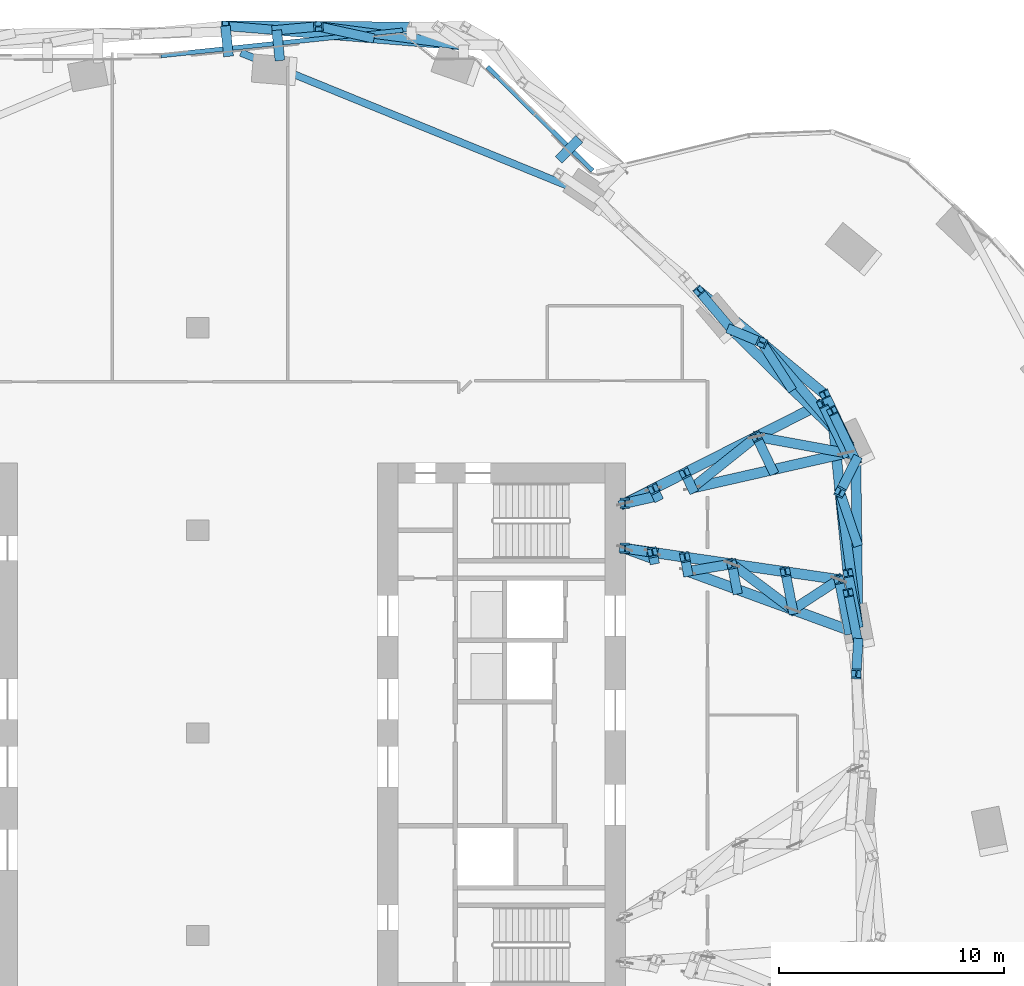
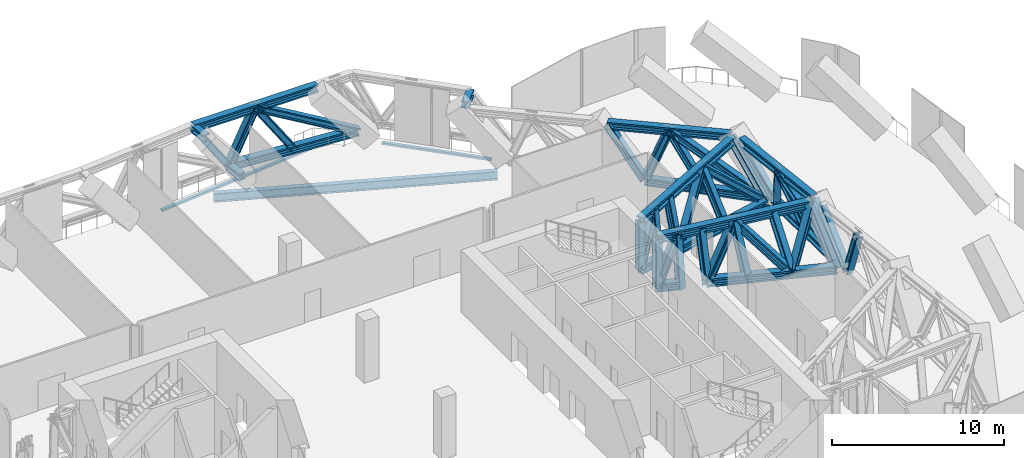
# One storey, part 11 of 27: 51 members, 1 beam, 2 elements without a shape of their own.
"""IFC4 building model written with IfcOpenShell, lengths in metres."""

from ifc_helpers import new_model, si_unit, direction, frame, origin, origin_2d, place, context, subcontext, project, spatial, rectangle, i_section, extrude, material, material_profile, profile_set, type_object, element, aggregate, save


model = new_model("IFC4")

# Units and contexts
model_context = context("Model", 3, precision=1e-05, world=origin(), true_north=direction((0.0, 1.0)))
body_context = subcontext(model_context, "Body", "Model", "MODEL_VIEW")
ifc_project = project(units=[si_unit("LENGTHUNIT", "METRE"), si_unit("AREAUNIT", "SQUARE_METRE"), si_unit("VOLUMEUNIT", "CUBIC_METRE"), si_unit("PLANEANGLEUNIT", "RADIAN"), si_unit("MASSUNIT", "GRAM", prefix="KILO")], contexts=[model_context])

# Site, building, storey
site_placement = place(None, origin())
site = spatial("IfcSite", under=ifc_project, at=site_placement, CompositionType="ELEMENT")
building_placement = place(site_placement, origin())
building = spatial("IfcBuilding", under=site, at=building_placement, Name="Orlundy Tower", CompositionType="ELEMENT")
storey_placement = place(building_placement, frame((0.0, 0.0, 206.10009765625)))
storey = spatial("IfcBuildingStorey", under=building, at=storey_placement, Name="L54", CompositionType="ELEMENT", Elevation=206.10009765625)

# Members
ifc_material_1 = material(Name="Steel ASTM A992 Gr 50", Category="steel")
ifc_material_profile_1 = material_profile(ifc_material_1, i_section(OverallWidth=0.4423828125, OverallDepth=0.531494140625, WebThickness=0.06591796875, FlangeThickness=0.105712890625, at=origin_2d()), Name="W14X605")
ifc_profile_set_1 = profile_set([ifc_material_profile_1], Name="Steel ASTM A992 Gr 50")
member_type_1 = type_object("IfcMemberType", Name="BELT TRUSS chord W14X605", PredefinedType="CHORD", material=ifc_profile_set_1)
member_1_placement = place(storey_placement, frame((29.33447265625, 4.853759765625, 0.28466796875), z_axis=(-0.012204080948, 0.999925527431, 0.0), x_axis=(-0.999925527431, -0.012204080948, 0.0)))
element("IfcMember", 1, at=member_1_placement, inside=storey, type_object=member_type_1, Name="Belt truss bottom chord BT-13", PredefinedType="CHORD", context=body_context, shape_type="SweptSolid", body=[
    extrude(i_section(OverallWidth=0.4423828125, OverallDepth=0.531494140625, WebThickness=0.06591796875, FlangeThickness=0.105712890625, at=origin_2d()), origin(), (0.0, 0.0, 1.0), 7.24169921875),
])
for number, where, z_axis, x_axis, name in (
    (2, (28.89697265625, 7.099365234375, 3.715087890625), (-0.098548970989, 0.995132202432, 0.0), (-0.995132202432, -0.098548970989, 0.0), "Belt truss top chord BT-13"),
    (3, (28.927734375, 12.837890625, 0.28466796875), (-0.715685346422, 0.698422855379, 0.0), (-0.698422855379, -0.715685346422, 0.0), "Belt truss bottom chord BT-14"),
    (4, (27.864990234375, 15.04833984375, 3.715087890625), (-0.773309447926, 0.63402878306, 0.0), (-0.63402878306, -0.773309447926, 0.0), "Belt truss top chord BT-14"),
):
    element("IfcMember", number, at=place(storey_placement, frame(where, z_axis=z_axis, x_axis=x_axis)), inside=storey, type_object=member_type_1, Name=name, PredefinedType="CHORD", context=body_context, shape_type="SweptSolid", body=[
        extrude(i_section(OverallWidth=0.4423828125, OverallDepth=0.531494140625, WebThickness=0.06591796875, FlangeThickness=0.105712890625, at=origin_2d()), origin(), (0.0, 0.0, 1.0), 7.2412109375),
    ])
member_2_placement = place(storey_placement, frame((11.808837890625, 30.556396484375, 0.28466796875), z_axis=(-0.996756825967, 0.080472541204, 0.0), x_axis=(-0.080472541204, -0.996756825967, 0.0)))
element("IfcMember", 5, at=member_2_placement, inside=storey, type_object=member_type_1, Name="Belt truss bottom chord BT-17A", PredefinedType="CHORD", context=body_context, shape_type="SweptSolid", body=[
    extrude(i_section(OverallWidth=0.4423828125, OverallDepth=0.531494140625, WebThickness=0.06591796875, FlangeThickness=0.105712890625, at=origin_2d()), origin(), (0.0, 0.0, 1.0), 8.324951171875),
])
member_3_placement = place(storey_placement, frame((9.494140625, 31.368896484375, 3.715087890625), z_axis=(-0.999985382482, 0.005406923474, 0.0), x_axis=(-0.005406923474, -0.999985382482, 0.0)))
element("IfcMember", 6, at=member_3_placement, inside=storey, type_object=member_type_1, Name="Belt truss top chord BT-17A", PredefinedType="CHORD", context=body_context, shape_type="SweptSolid", body=[
    extrude(i_section(OverallWidth=0.4423828125, OverallDepth=0.531494140625, WebThickness=0.06591796875, FlangeThickness=0.105712890625, at=origin_2d()), origin(), (0.0, 0.0, 1.0), 8.262939453125),
])
ifc_material_2 = material(Name="Steel ASTM A992 Gr 50", Category="steel")
ifc_material_profile_2 = material_profile(ifc_material_2, i_section(OverallWidth=0.42431640625, OverallDepth=0.47412109375, WebThickness=0.0478515625, FlangeThickness=0.0771484375, at=origin_2d()), Name="W14X426")
ifc_profile_set_2 = profile_set([ifc_material_profile_2], Name="Steel ASTM A992 Gr 50")
member_type_2 = type_object("IfcMemberType", Name="BELT TRUSS diagonal W14X426", PredefinedType="BRACE", material=ifc_profile_set_2)
member_4_placement = place(storey_placement, frame((29.263916015625, 2.621337890625, 3.715087890625), z_axis=(0.021964823922, 0.367910800702, -0.929601629322), x_axis=(-0.998222615791, 0.059595380047, 0.0)))
element("IfcMember", 7, at=member_4_placement, inside=storey, type_object=member_type_2, Name="Belt truss diagonal BT-12-1", PredefinedType="BRACE", context=body_context, shape_type="SweptSolid", body=[
    extrude(i_section(OverallWidth=0.42431640625, OverallDepth=0.47412109375, WebThickness=0.0478515625, FlangeThickness=0.0771484375, at=origin_2d()), origin(), (0.0, 0.0, 1.0), 3.690185546875),
])
member_5_placement = place(storey_placement, frame((29.33447265625, 4.853759765625, 0.28466796875), z_axis=(-0.116334291609, 0.856718195444, 0.502494045925), x_axis=(-0.99090602626, -0.134555739832, 0.0)))
element("IfcMember", 8, at=member_5_placement, inside=storey, type_object=member_type_2, Name="Belt truss diagonal BT-13-0", PredefinedType="BRACE", context=body_context, shape_type="SweptSolid", body=[
    extrude(i_section(OverallWidth=0.42431640625, OverallDepth=0.47412109375, WebThickness=0.0478515625, FlangeThickness=0.0771484375, at=origin_2d()), origin(), (0.0, 0.0, 1.0), 6.826904296875),
])
member_6_placement = place(storey_placement, frame((28.540283203125, 10.702392578125, 3.715087890625), z_axis=(0.187268233009, 0.369483915976, -0.910171546875), x_axis=(-0.891974402722, 0.452085904325, 0.0)))
element("IfcMember", 9, at=member_6_placement, inside=storey, type_object=member_type_2, Name="Belt truss diagonal BT-13-1", PredefinedType="BRACE", context=body_context, shape_type="SweptSolid", body=[
    extrude(i_section(OverallWidth=0.42431640625, OverallDepth=0.47412109375, WebThickness=0.0478515625, FlangeThickness=0.0771484375, at=origin_2d()), origin(), (0.0, 0.0, 1.0), 3.76904296875),
])
member_7_placement = place(storey_placement, frame((28.927734375, 12.837890625, 0.28466796875), z_axis=(-0.563471600135, 0.65731823855, 0.500432302225), x_axis=(-0.759224659772, -0.650828637964, 0.0)))
element("IfcMember", 10, at=member_7_placement, inside=storey, type_object=member_type_2, Name="Belt truss diagonal BT-14-0", PredefinedType="BRACE", context=body_context, shape_type="SweptSolid", body=[
    extrude(i_section(OverallWidth=0.42431640625, OverallDepth=0.47412109375, WebThickness=0.0478515625, FlangeThickness=0.0771484375, at=origin_2d()), origin(), (0.0, 0.0, 1.0), 6.85498046875),
])
member_8_placement = place(storey_placement, frame((25.065185546875, 17.34375, 3.715087890625), z_axis=(-0.355106145925, 0.148387862309, -0.922973817313), x_axis=(-0.385560473713, -0.922682567902, 0.0)))
element("IfcMember", 11, at=member_8_placement, inside=storey, type_object=member_type_2, Name="Belt truss diagonal BT-14-1", PredefinedType="BRACE", context=body_context, shape_type="SweptSolid", body=[
    extrude(i_section(OverallWidth=0.42431640625, OverallDepth=0.47412109375, WebThickness=0.0478515625, FlangeThickness=0.0771484375, at=origin_2d()), origin(), (0.0, 0.0, 1.0), 3.716796875),
])
member_9_placement = place(storey_placement, frame((11.808837890625, 30.556396484375, 0.28466796875), z_axis=(-0.877073117338, 0.113570405551, 0.466738159813), x_axis=(-0.128415849058, -0.991720409042, 0.0)))
element("IfcMember", 12, at=member_9_placement, inside=storey, type_object=member_type_2, Name="Belt truss diagonal BT-17A-0", PredefinedType="BRACE", context=body_context, shape_type="SweptSolid", body=[
    extrude(i_section(OverallWidth=0.42431640625, OverallDepth=0.47412109375, WebThickness=0.0478515625, FlangeThickness=0.0771484375, at=origin_2d()), origin(), (0.0, 0.0, 1.0), 7.349853515625),
])
member_10_placement = place(storey_placement, frame((5.362548828125, 31.39111328125, 3.715087890625), z_axis=(-0.474553397973, -0.042236754171, -0.879212789414), x_axis=(0.08865272312, -0.996062595766, 0.0)))
element("IfcMember", 13, at=member_10_placement, inside=storey, type_object=member_type_2, Name="Belt truss diagonal BT-17A-1", PredefinedType="BRACE", context=body_context, shape_type="SweptSolid", body=[
    extrude(i_section(OverallWidth=0.42431640625, OverallDepth=0.47412109375, WebThickness=0.0478515625, FlangeThickness=0.0771484375, at=origin_2d()), origin(), (0.0, 0.0, 1.0), 3.901611328125),
])
ifc_material_3 = material(Name="Steel ASTM A992 Gr 50", Category="steel")
ifc_material_profile_3 = material_profile(ifc_material_3, i_section(OverallWidth=0.412109375, OverallDepth=0.434814453125, WebThickness=0.035888671875, FlangeThickness=0.057373046875, at=origin_2d()), Name="W14X311")
ifc_profile_set_3 = profile_set([ifc_material_profile_3], Name="Steel ASTM A992 Gr 50")
member_type_3 = type_object("IfcMemberType", Name="BELT TRUSS post W14X311", PredefinedType="POST", material=ifc_profile_set_3)
for number, where, z_axis, x_axis, name in (
    (14, (29.344970703125, 3.97900390625, 0.28466796875), (-0.106048186168, 0.544570166493, 0.831983843579), (-0.981561471649, -0.191146743038, 0.0), "Belt truss post BT-12-2"),
    (15, (29.33447265625, 4.853759765625, 0.28466796875), (-0.106103310044, 0.544608396086, 0.831951790977), (-0.981545345416, -0.191229534571, 0.0), "Belt truss post BT-13-0"),
):
    element("IfcMember", number, at=place(storey_placement, frame(where, z_axis=z_axis, x_axis=x_axis)), inside=storey, type_object=member_type_3, Name=name, PredefinedType="POST", context=body_context, shape_type="SweptSolid", body=[
        extrude(i_section(OverallWidth=0.412109375, OverallDepth=0.434814453125, WebThickness=0.035888671875, FlangeThickness=0.057373046875, at=origin_2d()), origin(), (0.0, 0.0, 1.0), 4.123291015625),
    ])
member_11_placement = place(storey_placement, frame((29.290283203125, 8.474365234375, 0.28466796875), z_axis=(-0.180346899683, 0.535757098473, 0.824887463362), x_axis=(-0.947744494985, -0.319030362546, 0.0)))
element("IfcMember", 16, at=member_11_placement, inside=storey, type_object=member_type_3, Name="Belt truss post BT-13-1", PredefinedType="POST", context=body_context, shape_type="SweptSolid", body=[
    extrude(i_section(OverallWidth=0.412109375, OverallDepth=0.434814453125, WebThickness=0.035888671875, FlangeThickness=0.057373046875, at=origin_2d()), origin(), (0.0, 0.0, 1.0), 4.15869140625),
])
for number, where, z_axis, x_axis, name in (
    (17, (29.24609375, 12.094970703125, 0.28466796875), (-0.252012825213, 0.52417278187, 0.813469379064), (-0.901247939283, -0.433303764049, 0.0), "Belt truss post BT-13-2"),
    (18, (28.927734375, 12.837890625, 0.28466796875), (-0.252012825213, 0.52417278187, 0.813469379064), (-0.901247939283, -0.433303764049, 0.0), "Belt truss post BT-14-0"),
):
    element("IfcMember", number, at=place(storey_placement, frame(where, z_axis=z_axis, x_axis=x_axis)), inside=storey, type_object=member_type_3, Name=name, PredefinedType="POST", context=body_context, shape_type="SweptSolid", body=[
        extrude(i_section(OverallWidth=0.412109375, OverallDepth=0.434814453125, WebThickness=0.035888671875, FlangeThickness=0.057373046875, at=origin_2d()), origin(), (0.0, 0.0, 1.0), 4.217041015625),
    ])
member_12_placement = place(storey_placement, frame((26.33642578125, 15.36669921875, 0.28466796875), z_axis=(-0.305701770782, 0.47543171496, 0.824930973931), x_axis=(-0.841124474731, -0.540841583098, 0.0)))
element("IfcMember", 19, at=member_12_placement, inside=storey, type_object=member_type_3, Name="Belt truss post BT-14-1", PredefinedType="POST", context=body_context, shape_type="SweptSolid", body=[
    extrude(i_section(OverallWidth=0.412109375, OverallDepth=0.434814453125, WebThickness=0.035888671875, FlangeThickness=0.057373046875, at=origin_2d()), origin(), (0.0, 0.0, 1.0), 4.158447265625),
])
member_13_placement = place(storey_placement, frame((23.745361328125, 17.895263671875, 0.28466796875), z_axis=(-0.358946409218, 0.423014376023, 0.831995380389), x_axis=(-0.762486797181, -0.647003774428, 0.0)))
element("IfcMember", 20, at=member_13_placement, inside=storey, type_object=member_type_3, Name="Belt truss post BT-14-2", PredefinedType="POST", context=body_context, shape_type="SweptSolid", body=[
    extrude(i_section(OverallWidth=0.412109375, OverallDepth=0.434814453125, WebThickness=0.035888671875, FlangeThickness=0.057373046875, at=origin_2d()), origin(), (0.0, 0.0, 1.0), 4.123046875),
])
member_14_placement = place(storey_placement, frame((7.659912109375, 30.891357421875, 0.28466796875), z_axis=(-0.552413373873, 0.120168987919, 0.824862945409), x_axis=(-0.212563286564, -0.977147301693, 0.0)))
element("IfcMember", 21, at=member_14_placement, inside=storey, type_object=member_type_3, Name="Belt truss post BT-17A-1", PredefinedType="POST", context=body_context, shape_type="SweptSolid", body=[
    extrude(i_section(OverallWidth=0.412109375, OverallDepth=0.434814453125, WebThickness=0.035888671875, FlangeThickness=0.057373046875, at=origin_2d()), origin(), (0.0, 0.0, 1.0), 4.15869140625),
])
member_15_placement = place(storey_placement, frame((3.510986328125, 31.226318359375, 0.28466796875), z_axis=(-0.55292479273, 0.045415861643, 0.831992531875), x_axis=(-0.081861823633, -0.996643688502, 0.0)))
element("IfcMember", 22, at=member_15_placement, inside=storey, type_object=member_type_3, Name="Belt truss post BT-17A-2", PredefinedType="POST", context=body_context, shape_type="SweptSolid", body=[
    extrude(i_section(OverallWidth=0.412109375, OverallDepth=0.434814453125, WebThickness=0.035888671875, FlangeThickness=0.057373046875, at=origin_2d()), origin(), (0.0, 0.0, 1.0), 4.123046875),
])
ifc_material_4 = material(Name="Steel ASTM A992 Gr 50", Category="steel")
ifc_material_profile_4 = material_profile(ifc_material_4, i_section(OverallWidth=0.43212890625, OverallDepth=0.497802734375, WebThickness=0.0556640625, FlangeThickness=0.0888671875, at=origin_2d()), Name="W14X500")
ifc_profile_set_4 = profile_set([ifc_material_profile_4], Name="Steel ASTM A992 Gr 50")
member_type_4 = type_object("IfcMemberType", Name="BELT TRUSS strut W14X500", PredefinedType="STRUT", material=ifc_profile_set_4)
member_16_placement = place(storey_placement, frame((16.033203125, 25.458984375, 3.715087890625), z_axis=(0.702996885036, 0.711192927151, 0.0), x_axis=(-0.711192927151, 0.702996885036, 0.0)))
element("IfcMember", 23, at=member_16_placement, inside=storey, type_object=member_type_4, Name="Belt truss bracket C-H02", PredefinedType="STRUT", context=body_context, shape_type="SweptSolid", body=[
    extrude(i_section(OverallWidth=0.43212890625, OverallDepth=0.497802734375, WebThickness=0.0556640625, FlangeThickness=0.0888671875, at=origin_2d()), origin(), (0.0, 0.0, 1.0), 1.310546875),
])
for number, where, z_axis, x_axis, name in (
    (24, (3.653076171875, 29.87353515625, 0.28466796875), (-0.104460547945, 0.994529031212, 0.0), (-0.994529031212, -0.104460547945, 0.0), "Belt truss bracket C-H24"),
    (25, (1.373291015625, 30.060791015625, 3.715087890625), (-0.104460547945, 0.994529031212, 0.0), (-0.994529031212, -0.104460547945, 0.0), "Belt truss bracket C-H24"),
):
    element("IfcMember", number, at=place(storey_placement, frame(where, z_axis=z_axis, x_axis=x_axis)), inside=storey, type_object=member_type_4, Name=name, PredefinedType="STRUT", context=body_context, shape_type="SweptSolid", body=[
        extrude(i_section(OverallWidth=0.43212890625, OverallDepth=0.497802734375, WebThickness=0.0556640625, FlangeThickness=0.0888671875, at=origin_2d()), origin(), (0.0, 0.0, 1.0), 1.360107421875),
    ])

# Beam
ifc_material_5 = material(Name="Steel ASTM A992 Gr 50", Category="steel")
ifc_material_profile_5 = material_profile(ifc_material_5, i_section(OverallWidth=0.32373046875, OverallDepth=0.611083984375, WebThickness=0.0126953125, FlangeThickness=0.01904296875, at=origin_2d()), Name="W24X104")
ifc_profile_set_5 = profile_set([ifc_material_profile_5], Name="Steel ASTM A992 Gr 50")
beam_type = type_object("IfcBeamType", Name="CANTILEVER GIRDER beam W24X104", PredefinedType="BEAM", material=ifc_profile_set_5)
beam_placement = place(storey_placement, frame((1.919189453125, 30.22509765625, -0.755615234375), z_axis=(0.92609425761, -0.377292228943, 0.0), x_axis=(0.377292228943, 0.92609425761, 0.0)))
element("IfcBeam", 26, at=beam_placement, inside=storey, type_object=beam_type, Name="Cantilever girder C-H24 L54", PredefinedType="BEAM", context=body_context, shape_type="SweptSolid", body=[
    extrude(i_section(OverallWidth=0.32373046875, OverallDepth=0.611083984375, WebThickness=0.0126953125, FlangeThickness=0.01904296875, at=origin_2d()), origin(), (0.0, 0.0, 1.0), 16.647705078125),
])

# Curtain wall, member
ifc_material_6 = material(Name="Aluminium bronze anodised", Category="aluminium")
curtain_wall_type = type_object("IfcCurtainWallType", Name="CW4 wall", PredefinedType="NOTDEFINED", material=ifc_material_6)
curtain_wall_1_placement = place(storey_placement, origin())
curtain_wall_1 = element("IfcCurtainWall", 27, at=curtain_wall_1_placement, inside=storey, type_object=curtain_wall_type, Name="CW4 run 012", PredefinedType="NOTDEFINED")
ifc_material_7 = material(Name="Aluminium bronze anodised", Category="aluminium")
ifc_material_profile_6 = material_profile(ifc_material_7, rectangle(XDim=0.199951171875, YDim=0.14990234375, at=origin_2d()), Name="CW4 transom 200x150")
ifc_profile_set_6 = profile_set([ifc_material_profile_6], Name="Aluminium bronze anodised")
member_type_5 = type_object("IfcMemberType", Name="CW4 transom 200x150", PredefinedType="USERDEFINED", material=ifc_profile_set_6)
member_17_placement = place(storey_placement, frame((-1.638671875, 30.093994140625, -0.375), z_axis=(0.994520169586, 0.104544881685, 0.0), x_axis=(-0.104544881685, 0.994520169586, 0.0)))
member_17 = element("IfcMember", 28, at=member_17_placement, type_object=member_type_5, Name="CW4 transom", ObjectType="TRANSOM", PredefinedType="USERDEFINED", context=body_context, shape_type="SweptSolid", body=[
    extrude(rectangle(XDim=0.199951171875, YDim=0.14990234375, at=origin_2d()), origin(), (0.0, 0.0, 1.0), 10.81005859375),
])
aggregate(curtain_wall_1, [member_17])

curtain_wall_2_placement = place(storey_placement, origin())
curtain_wall_2 = element("IfcCurtainWall", 29, at=curtain_wall_2_placement, inside=storey, type_object=curtain_wall_type, Name="CW4 run 015", PredefinedType="NOTDEFINED")
member_18_placement = place(storey_placement, frame((12.870361328125, 29.601318359375, -0.375), z_axis=(0.711221318148, -0.702968161876, 0.0), x_axis=(0.702968161876, 0.711221318148, 0.0)))
member_18 = element("IfcMember", 30, at=member_18_placement, type_object=member_type_5, Name="CW4 transom", ObjectType="TRANSOM", PredefinedType="USERDEFINED", context=body_context, shape_type="SweptSolid", body=[
    extrude(rectangle(XDim=0.199951171875, YDim=0.14990234375, at=origin_2d()), origin(), (0.0, 0.0, 1.0), 6.567138671875),
])
aggregate(curtain_wall_2, [member_18])

# Members
ifc_material_8 = material(Name="Steel ASTM A992 Gr 50", Category="steel")
ifc_material_profile_7 = material_profile(ifc_material_8, i_section(OverallWidth=0.454345703125, OverallDepth=0.569580078125, WebThickness=0.077880859375, FlangeThickness=0.124755859375, at=origin_2d()), Name="W14X730")
ifc_profile_set_7 = profile_set([ifc_material_profile_7], Name="Steel ASTM A992 Gr 50")
member_type_6 = type_object("IfcMemberType", Name="OUTRIGGER TRUSS chord W14X730", PredefinedType="CHORD", material=ifc_profile_set_7)
member_19_placement = place(storey_placement, frame((18.97998046875, 8.199951171875, 0.28466796875), z_axis=(0.939345481907, -0.342972397754, 0.0), x_axis=(0.342972397754, 0.939345481907, 0.0)))
element("IfcMember", 31, at=member_19_placement, inside=storey, type_object=member_type_6, Name="Outrigger truss bottom chord OR-E-C-H05", PredefinedType="CHORD", context=body_context, shape_type="SweptSolid", body=[
    extrude(i_section(OverallWidth=0.454345703125, OverallDepth=0.569580078125, WebThickness=0.077880859375, FlangeThickness=0.124755859375, at=origin_2d()), origin(), (0.0, 0.0, 1.0), 1.37109375),
])
member_20_placement = place(storey_placement, frame((21.770751953125, 7.180908203125, 0.28466796875), z_axis=(0.939303247781, -0.34308804804, 0.0), x_axis=(0.34308804804, 0.939303247781, 0.0)))
element("IfcMember", 32, at=member_20_placement, inside=storey, type_object=member_type_6, Name="Outrigger truss bottom chord OR-E-C-H052", PredefinedType="CHORD", context=body_context, shape_type="SweptSolid", body=[
    extrude(i_section(OverallWidth=0.454345703125, OverallDepth=0.569580078125, WebThickness=0.077880859375, FlangeThickness=0.124755859375, at=origin_2d()), origin(), (0.0, 0.0, 1.0), 7.62060546875),
])
member_21_placement = place(storey_placement, frame((18.97998046875, 8.199951171875, 3.715087890625), z_axis=(0.989520358728, -0.144393419733, 0.0), x_axis=(0.144393419733, 0.989520358728, 0.0)))
element("IfcMember", 33, at=member_21_placement, inside=storey, type_object=member_type_6, Name="Outrigger truss top chord OR-E-C-H05", PredefinedType="CHORD", context=body_context, shape_type="SweptSolid", body=[
    extrude(i_section(OverallWidth=0.454345703125, OverallDepth=0.569580078125, WebThickness=0.077880859375, FlangeThickness=0.124755859375, at=origin_2d()), origin(), (0.0, 0.0, 1.0), 9.6123046875),
])
member_22_placement = place(storey_placement, frame((18.97998046875, 10.199951171875, 0.28466796875), z_axis=(0.975136131656, 0.221606689291, 0.0), x_axis=(-0.221606689291, 0.975136131656, 0.0)))
element("IfcMember", 34, at=member_22_placement, inside=storey, type_object=member_type_6, Name="Outrigger truss bottom chord OR-E-C-H04", PredefinedType="CHORD", context=body_context, shape_type="SweptSolid", body=[
    extrude(i_section(OverallWidth=0.454345703125, OverallDepth=0.569580078125, WebThickness=0.077880859375, FlangeThickness=0.124755859375, at=origin_2d()), origin(), (0.0, 0.0, 1.0), 1.464111328125),
])
member_23_placement = place(storey_placement, frame((21.9677734375, 10.879150390625, 0.28466796875), z_axis=(0.975120899244, 0.221673705833, 0.0), x_axis=(-0.221673705833, 0.975120899244, 0.0)))
element("IfcMember", 35, at=member_23_placement, inside=storey, type_object=member_type_6, Name="Outrigger truss bottom chord OR-E-C-H042", PredefinedType="CHORD", context=body_context, shape_type="SweptSolid", body=[
    extrude(i_section(OverallWidth=0.454345703125, OverallDepth=0.569580078125, WebThickness=0.077880859375, FlangeThickness=0.124755859375, at=origin_2d()), origin(), (0.0, 0.0, 1.0), 7.02099609375),
])
member_24_placement = place(storey_placement, frame((18.97998046875, 10.199951171875, 3.715087890625), z_axis=(0.891970906458, 0.452092802455, 0.0), x_axis=(-0.452092802455, 0.891970906458, 0.0)))
element("IfcMember", 36, at=member_24_placement, inside=storey, type_object=member_type_6, Name="Outrigger truss top chord OR-E-C-H04", PredefinedType="CHORD", context=body_context, shape_type="SweptSolid", body=[
    extrude(i_section(OverallWidth=0.454345703125, OverallDepth=0.569580078125, WebThickness=0.077880859375, FlangeThickness=0.124755859375, at=origin_2d()), origin(), (0.0, 0.0, 1.0), 9.833740234375),
])
ifc_material_9 = material(Name="Steel ASTM A992 Gr 50", Category="steel")
ifc_material_profile_8 = material_profile(ifc_material_9, i_section(OverallWidth=0.43212890625, OverallDepth=0.497802734375, WebThickness=0.0556640625, FlangeThickness=0.0888671875, at=origin_2d()), Name="W14X500")
ifc_profile_set_8 = profile_set([ifc_material_profile_8], Name="Steel ASTM A992 Gr 50")
member_type_7 = type_object("IfcMemberType", Name="OUTRIGGER TRUSS diagonal W14X500", PredefinedType="BRACE", material=ifc_profile_set_8)
member_25_placement = place(storey_placement, frame((18.97998046875, 8.199951171875, 0.28466796875), z_axis=(0.337398660327, -0.049241604997, 0.940073086705), x_axis=(0.144414965274, 0.989517214507, 0.0)))
element("IfcMember", 37, at=member_25_placement, inside=storey, type_object=member_type_7, Name="Outrigger truss diagonal OR-E-C-H05-0", PredefinedType="BRACE", context=body_context, shape_type="SweptSolid", body=[
    extrude(i_section(OverallWidth=0.43212890625, OverallDepth=0.497802734375, WebThickness=0.0556640625, FlangeThickness=0.0888671875, at=origin_2d()), origin(), (0.0, 0.0, 1.0), 3.649169921875),
])
member_26_placement = place(storey_placement, frame((21.770751953125, 7.180908203125, 0.28466796875), z_axis=(0.495345991542, 0.081921659386, 0.864824369677), x_axis=(-0.163166339659, 0.986598573687, 0.0)))
element("IfcMember", 38, at=member_26_placement, inside=storey, type_object=member_type_7, Name="Outrigger truss diagonal OR-E-C-H05-2", PredefinedType="BRACE", context=body_context, shape_type="SweptSolid", body=[
    extrude(i_section(OverallWidth=0.43212890625, OverallDepth=0.497802734375, WebThickness=0.0556640625, FlangeThickness=0.0888671875, at=origin_2d()), origin(), (0.0, 0.0, 1.0), 3.966552734375),
])
member_27_placement = place(storey_placement, frame((23.735595703125, 7.505859375, 3.715087890625), z_axis=(0.561626473002, -0.421523874856, -0.711964414665), x_axis=(0.60027704826, 0.799792138829, 0.0)))
element("IfcMember", 39, at=member_27_placement, inside=storey, type_object=member_type_7, Name="Outrigger truss diagonal OR-E-C-H05-3", PredefinedType="BRACE", context=body_context, shape_type="SweptSolid", body=[
    extrude(i_section(OverallWidth=0.43212890625, OverallDepth=0.497802734375, WebThickness=0.0556640625, FlangeThickness=0.0888671875, at=origin_2d()), origin(), (0.0, 0.0, 1.0), 4.818359375),
])
member_28_placement = place(storey_placement, frame((26.441650390625, 5.474853515625, 0.28466796875), z_axis=(0.48643174621, 0.317316183182, 0.814060560505), x_axis=(-0.546362108425, 0.837549071086, 0.0)))
element("IfcMember", 40, at=member_28_placement, inside=storey, type_object=member_type_7, Name="Outrigger truss diagonal OR-E-C-H05-4", PredefinedType="BRACE", context=body_context, shape_type="SweptSolid", body=[
    extrude(i_section(OverallWidth=0.43212890625, OverallDepth=0.497802734375, WebThickness=0.0556640625, FlangeThickness=0.0888671875, at=origin_2d()), origin(), (0.0, 0.0, 1.0), 4.2138671875),
])
member_29_placement = place(storey_placement, frame((18.97998046875, 10.199951171875, 0.28466796875), z_axis=(0.342722060854, 0.173726443424, 0.923233833793), x_axis=(-0.452131699988, 0.891951190294, 0.0)))
element("IfcMember", 41, at=member_29_placement, inside=storey, type_object=member_type_7, Name="Outrigger truss diagonal OR-E-C-H04-0", PredefinedType="BRACE", context=body_context, shape_type="SweptSolid", body=[
    extrude(i_section(OverallWidth=0.43212890625, OverallDepth=0.497802734375, WebThickness=0.0556640625, FlangeThickness=0.0888671875, at=origin_2d()), origin(), (0.0, 0.0, 1.0), 3.715576171875),
])
member_30_placement = place(storey_placement, frame((21.9677734375, 10.879150390625, 0.28466796875), z_axis=(0.57007963962, 0.455421313605, 0.683813301717), x_axis=(-0.624158063932, 0.781298093706, 0.0)))
element("IfcMember", 42, at=member_30_placement, inside=storey, type_object=member_type_7, Name="Outrigger truss diagonal OR-E-C-H04-2", PredefinedType="BRACE", context=body_context, shape_type="SweptSolid", body=[
    extrude(i_section(OverallWidth=0.43212890625, OverallDepth=0.497802734375, WebThickness=0.0556640625, FlangeThickness=0.0888671875, at=origin_2d()), origin(), (0.0, 0.0, 1.0), 5.0166015625),
])
member_31_placement = place(storey_placement, frame((24.82763671875, 13.163818359375, 3.715087890625), z_axis=(0.750835895788, -0.137163541989, -0.646089483234), x_axis=(0.179707100533, 0.983720162454, 0.0)))
element("IfcMember", 43, at=member_31_placement, inside=storey, type_object=member_type_7, Name="Outrigger truss diagonal OR-E-C-H04-3", PredefinedType="BRACE", context=body_context, shape_type="SweptSolid", body=[
    extrude(i_section(OverallWidth=0.43212890625, OverallDepth=0.497802734375, WebThickness=0.0556640625, FlangeThickness=0.0888671875, at=origin_2d()), origin(), (0.0, 0.0, 1.0), 5.3095703125),
])
ifc_material_10 = material(Name="Steel ASTM A992 Gr 50", Category="steel")
ifc_material_profile_9 = material_profile(ifc_material_10, i_section(OverallWidth=0.41845703125, OverallDepth=0.455078125, WebThickness=0.0419921875, FlangeThickness=0.067626953125, at=origin_2d()), Name="W14X370")
ifc_profile_set_9 = profile_set([ifc_material_profile_9], Name="Steel ASTM A992 Gr 50")
member_type_8 = type_object("IfcMemberType", Name="OUTRIGGER TRUSS post W14X370", PredefinedType="POST", material=ifc_profile_set_9)
member_32_placement = place(storey_placement, frame((18.97998046875, 8.199951171875, 0.28466796875), z_axis=(0.0, 0.0, 1.0), x_axis=(1.0, 0.0, 0.0)))
element("IfcMember", 44, at=member_32_placement, inside=storey, type_object=member_type_8, Name="Outrigger truss post OR-E-C-H05-0", PredefinedType="POST", context=body_context, shape_type="SweptSolid", body=[
    extrude(i_section(OverallWidth=0.41845703125, OverallDepth=0.455078125, WebThickness=0.0419921875, FlangeThickness=0.067626953125, at=origin_2d()), origin(), (0.0, 0.0, 1.0), 3.430419921875),
])
member_33_placement = place(storey_placement, frame((20.267822265625, 7.729736328125, 0.0), z_axis=(-0.015197944378, 0.077954973319, 0.996841032774), x_axis=(-0.981520830598, -0.191355321596, 0.0)))
element("IfcMember", 45, at=member_33_placement, inside=storey, type_object=member_type_8, Name="Outrigger truss post OR-E-C-H05-1", PredefinedType="POST", context=body_context, shape_type="SweptSolid", body=[
    extrude(i_section(OverallWidth=0.41845703125, OverallDepth=0.455078125, WebThickness=0.0419921875, FlangeThickness=0.067626953125, at=origin_2d()), origin(), (0.0, 0.0, 1.0), 3.726806640625),
])
member_34_placement = place(storey_placement, frame((21.770751953125, 7.180908203125, 0.0), z_axis=(-0.032573092751, 0.167009952692, 0.985417002761), x_axis=(-0.981506291588, -0.191429881609, 0.0)))
element("IfcMember", 46, at=member_34_placement, inside=storey, type_object=member_type_8, Name="Outrigger truss post OR-E-C-H05-2", PredefinedType="POST", context=body_context, shape_type="SweptSolid", body=[
    extrude(i_section(OverallWidth=0.41845703125, OverallDepth=0.455078125, WebThickness=0.0419921875, FlangeThickness=0.067626953125, at=origin_2d()), origin(), (0.0, 0.0, 1.0), 3.77001953125),
])
member_35_placement = place(storey_placement, frame((23.954345703125, 6.38330078125, 0.28466796875), z_axis=(-0.060494295298, 0.310438359131, 0.94866667772), x_axis=(-0.981537538251, -0.19126960293, 0.0)))
element("IfcMember", 47, at=member_35_placement, inside=storey, type_object=member_type_8, Name="Outrigger truss post OR-E-C-H05-3", PredefinedType="POST", context=body_context, shape_type="SweptSolid", body=[
    extrude(i_section(OverallWidth=0.41845703125, OverallDepth=0.455078125, WebThickness=0.0419921875, FlangeThickness=0.067626953125, at=origin_2d()), origin(), (0.0, 0.0, 1.0), 3.615966796875),
])
member_36_placement = place(storey_placement, frame((26.441650390625, 5.474853515625, 0.28466796875), z_axis=(-0.085547963311, 0.439069829553, 0.894370857502), x_axis=(-0.981542743573, -0.191242888861, 0.0)))
element("IfcMember", 48, at=member_36_placement, inside=storey, type_object=member_type_8, Name="Outrigger truss post OR-E-C-H05-4", PredefinedType="POST", context=body_context, shape_type="SweptSolid", body=[
    extrude(i_section(OverallWidth=0.41845703125, OverallDepth=0.455078125, WebThickness=0.0419921875, FlangeThickness=0.067626953125, at=origin_2d()), origin(), (0.0, 0.0, 1.0), 3.83544921875),
])
member_37_placement = place(storey_placement, frame((28.9287109375, 4.56640625, 0.28466796875), z_axis=(-0.106044766631, 0.544611816567, 0.831957016153), x_axis=(-0.981565370502, -0.191126720871, 0.0)))
element("IfcMember", 49, at=member_37_placement, inside=storey, type_object=member_type_8, Name="Outrigger truss post OR-E-C-H05-5", PredefinedType="POST", context=body_context, shape_type="SweptSolid", body=[
    extrude(i_section(OverallWidth=0.41845703125, OverallDepth=0.455078125, WebThickness=0.0419921875, FlangeThickness=0.067626953125, at=origin_2d()), origin(), (0.0, 0.0, 1.0), 4.123291015625),
])
member_38_placement = place(storey_placement, frame((18.97998046875, 10.199951171875, 0.28466796875), z_axis=(0.0, 0.0, 1.0), x_axis=(1.0, 0.0, 0.0)))
element("IfcMember", 50, at=member_38_placement, inside=storey, type_object=member_type_8, Name="Outrigger truss post OR-E-C-H04-0", PredefinedType="POST", context=body_context, shape_type="SweptSolid", body=[
    extrude(i_section(OverallWidth=0.41845703125, OverallDepth=0.455078125, WebThickness=0.0419921875, FlangeThickness=0.067626953125, at=origin_2d()), origin(), (0.0, 0.0, 1.0), 3.430419921875),
])
member_39_placement = place(storey_placement, frame((20.40771484375, 10.5244140625, 0.0), z_axis=(-0.041342903556, 0.086022022431, 0.995435068692), x_axis=(-0.90130903644, -0.43317666238, 0.0)))
element("IfcMember", 51, at=member_39_placement, inside=storey, type_object=member_type_8, Name="Outrigger truss post OR-E-C-H04-1", PredefinedType="POST", context=body_context, shape_type="SweptSolid", body=[
    extrude(i_section(OverallWidth=0.41845703125, OverallDepth=0.455078125, WebThickness=0.0419921875, FlangeThickness=0.067626953125, at=origin_2d()), origin(), (0.0, 0.0, 1.0), 3.732177734375),
])
member_40_placement = place(storey_placement, frame((21.9677734375, 10.879150390625, 0.0), z_axis=(-0.085179992608, 0.177254281139, 0.980471972408), x_axis=(-0.901328685261, -0.433135776778, 0.0)))
element("IfcMember", 52, at=member_40_placement, inside=storey, type_object=member_type_8, Name="Outrigger truss post OR-E-C-H04-2", PredefinedType="POST", context=body_context, shape_type="SweptSolid", body=[
    extrude(i_section(OverallWidth=0.41845703125, OverallDepth=0.455078125, WebThickness=0.0419921875, FlangeThickness=0.067626953125, at=origin_2d()), origin(), (0.0, 0.0, 1.0), 3.7890625),
])
member_41_placement = place(storey_placement, frame((25.5361328125, 11.690185546875, 0.28466796875), z_axis=(-0.186437682275, 0.387780100005, 0.902700163215), x_axis=(-0.901247939283, -0.433303764049, 0.0)))
element("IfcMember", 53, at=member_41_placement, inside=storey, type_object=member_type_8, Name="Outrigger truss post OR-E-C-H04-3", PredefinedType="POST", context=body_context, shape_type="SweptSolid", body=[
    extrude(i_section(OverallWidth=0.41845703125, OverallDepth=0.455078125, WebThickness=0.0419921875, FlangeThickness=0.067626953125, at=origin_2d()), origin(), (0.0, 0.0, 1.0), 3.80029296875),
])
member_42_placement = place(storey_placement, frame((28.814208984375, 12.435546875, 0.28466796875), z_axis=(-0.252020472843, 0.524130792706, 0.813494064764), x_axis=(-0.901229247653, -0.43334263946, 0.0)))
element("IfcMember", 54, at=member_42_placement, inside=storey, type_object=member_type_8, Name="Outrigger truss post OR-E-C-H04-4", PredefinedType="POST", context=body_context, shape_type="SweptSolid", body=[
    extrude(i_section(OverallWidth=0.41845703125, OverallDepth=0.455078125, WebThickness=0.0419921875, FlangeThickness=0.067626953125, at=origin_2d()), origin(), (0.0, 0.0, 1.0), 4.216796875),
])

save(model, "model.ifc")
